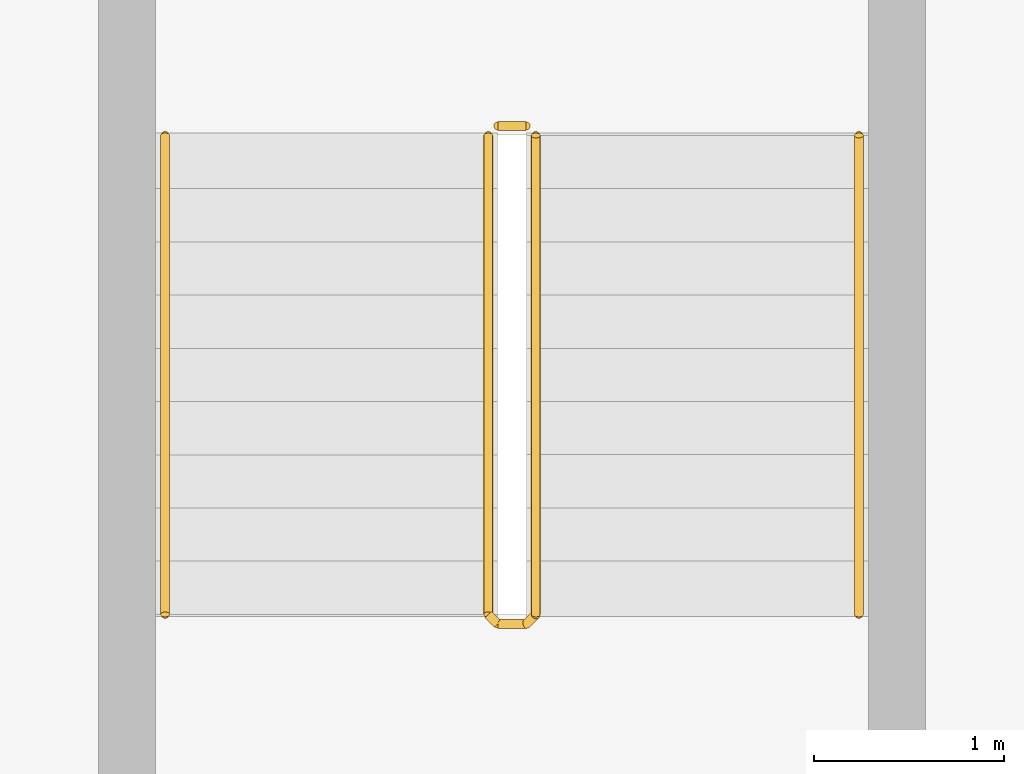
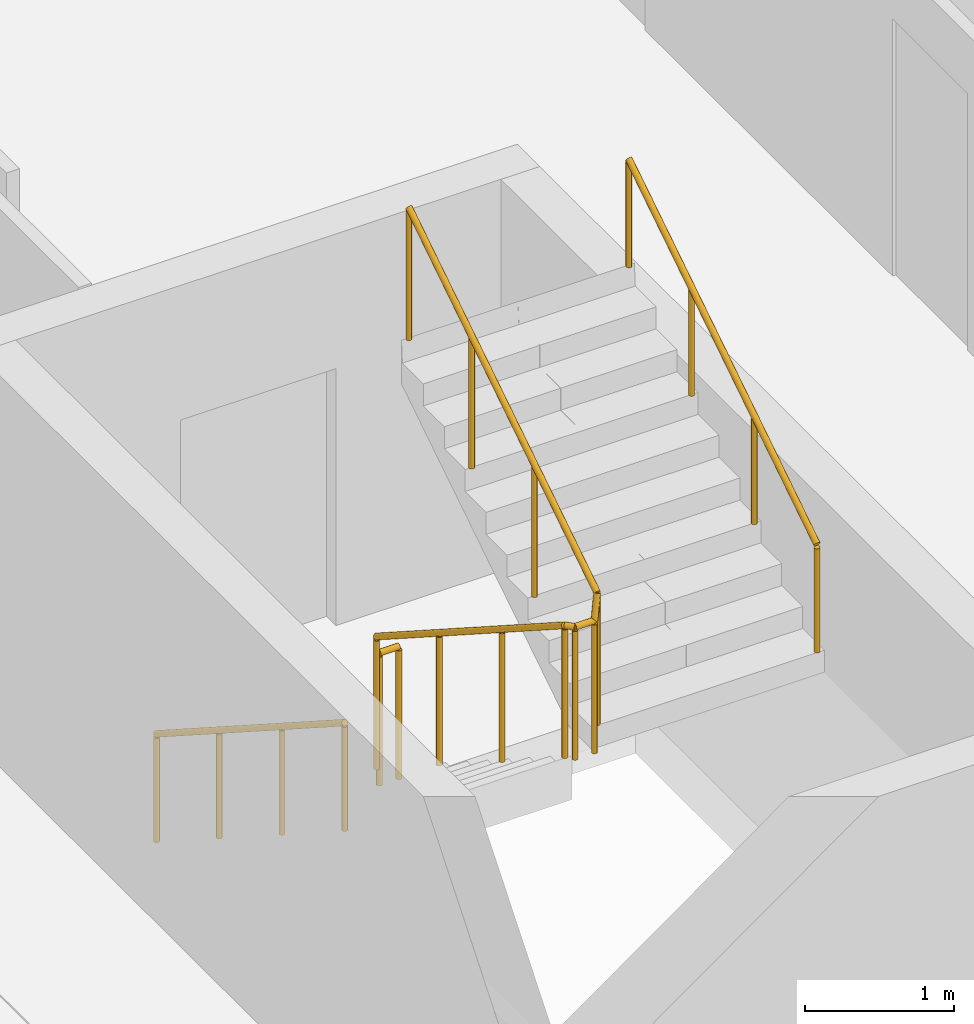
# One storey, part 25 of 27: 4 railings.
"""IFC4 building model written with IfcOpenShell, lengths in metres."""

from ifc_helpers import new_model, si_unit, direction, frame, origin, origin_2d, place, context, subcontext, project, spatial, circle, extrude, material, type_object, element, save


model = new_model("IFC4")

# Units and contexts
model_context = context("Model", 3, precision=1e-05, world=origin(), true_north=direction((0.0, 1.0)))
body_context = subcontext(model_context, "Body", "Model", "MODEL_VIEW")
ifc_project = project(units=[si_unit("LENGTHUNIT", "METRE"), si_unit("AREAUNIT", "SQUARE_METRE"), si_unit("VOLUMEUNIT", "CUBIC_METRE"), si_unit("PLANEANGLEUNIT", "RADIAN"), si_unit("MASSUNIT", "GRAM", prefix="KILO")], contexts=[model_context])

# Site, building, storey
site_placement = place(None, origin())
site = spatial("IfcSite", under=ifc_project, at=site_placement, CompositionType="ELEMENT")
building_placement = place(site_placement, origin())
building = spatial("IfcBuilding", under=site, at=building_placement, Name="Wharfspan Tower", CompositionType="ELEMENT")
storey_placement = place(building_placement, frame((0.0, 0.0, 81.100098)))
storey = spatial("IfcBuildingStorey", under=building, at=storey_placement, Name="L17", CompositionType="ELEMENT", Elevation=81.100098)

# Railings
ifc_material = material(Name="Steel S355J2", Category="steel")
railing_type_1 = type_object("IfcRailingType", Name="Stair guard 1100", PredefinedType="GUARDRAIL", material=ifc_material)
railing_1_placement = place(storey_placement, frame((39.258301, 3.760498, 0.179932)))
element("IfcRailing", 1, at=railing_1_placement, inside=storey, type_object=railing_type_1, Name="L17 ST4 stair guard 1", PredefinedType="GUARDRAIL", context=body_context, shape_type="SweptSolid", body=[
    extrude(circle(Radius=0.023926, at=origin_2d()), frame((0.0, 0.0, 1.076172), z_axis=(0.0, -0.841176, 0.540762), x_axis=(1.0, 0.0, 0.0)), (0.0, 0.0, 1.0), 2.995605),
    extrude(circle(Radius=0.023926, at=origin_2d()), frame((0.0, -2.519775, 2.695801), z_axis=(0.707107, -0.707107, 0.0), x_axis=(0.707107, 0.707107, 0.0)), (0.0, 0.0, 1.0), 0.070801),
    extrude(circle(Radius=0.023926, at=origin_2d()), frame((0.050049, -2.569824, 2.695801), z_axis=(1.0, 0.0, 0.0), x_axis=(0.0, 1.0, 0.0)), (0.0, 0.0, 1.0), 0.149902),
    extrude(circle(Radius=0.023926, at=origin_2d()), frame((0.199951, -2.569824, 2.695801), z_axis=(0.258544, 0.258544, 0.930758), x_axis=(-0.707107, 0.707107, 0.0)), (0.0, 0.0, 1.0), 0.193604),
    extrude(circle(Radius=0.023926, at=origin_2d()), frame((0.25, -2.519775, 2.875977), z_axis=(0.0, 0.841176, 0.540762), x_axis=(-1.0, 0.0, 0.0)), (0.0, 0.0, 1.0), 2.995605),
    extrude(circle(Radius=0.020996, at=origin_2d()), origin(), (0.0, 0.0, 1.0), 1.052002),
    extrude(circle(Radius=0.020996, at=origin_2d()), frame((0.0, -0.839844, 0.540039)), (0.0, 0.0, 1.0), 1.052002),
    extrude(circle(Radius=0.020996, at=origin_2d()), frame((0.0, -1.679932, 1.079834)), (0.0, 0.0, 1.0), 1.052002),
    extrude(circle(Radius=0.020996, at=origin_2d()), frame((0.0, -2.519775, 1.619873)), (0.0, 0.0, 1.0), 1.052002),
    extrude(circle(Radius=0.020996, at=origin_2d()), frame((0.050049, -2.569824, 1.619873)), (0.0, 0.0, 1.0), 1.052002),
    extrude(circle(Radius=0.020996, at=origin_2d()), frame((0.199951, -2.569824, 1.619873)), (0.0, 0.0, 1.0), 1.052002),
    extrude(circle(Radius=0.020996, at=origin_2d()), frame((0.25, -2.519775, 1.800049)), (0.0, 0.0, 1.0), 1.052002),
    extrude(circle(Radius=0.020996, at=origin_2d()), frame((0.25, -1.679932, 2.340088)), (0.0, 0.0, 1.0), 1.052002),
    extrude(circle(Radius=0.020996, at=origin_2d()), frame((0.25, -0.839844, 2.879883)), (0.0, 0.0, 1.0), 1.052002),
    extrude(circle(Radius=0.020996, at=origin_2d()), frame((0.25, 0.0, 3.419922)), (0.0, 0.0, 1.0), 1.052002),
])
railing_2_placement = place(storey_placement, frame((39.30835, 3.810547, 0.0)))
element("IfcRailing", 2, at=railing_2_placement, inside=storey, type_object=railing_type_1, Name="L17 ST4 stair guard 2", PredefinedType="GUARDRAIL", context=body_context, shape_type="SweptSolid", body=[
    extrude(circle(Radius=0.023926, at=origin_2d()), frame((0.0, 0.0, 1.076172), z_axis=(1.0, 0.0, 0.0), x_axis=(0.0, 1.0, 0.0)), (0.0, 0.0, 1.0), 0.149902),
    extrude(circle(Radius=0.020996, at=origin_2d()), origin(), (0.0, 0.0, 1.0), 1.052002),
    extrude(circle(Radius=0.020996, at=origin_2d()), frame((0.149902, 0.0, 0.0)), (0.0, 0.0, 1.0), 1.052002),
])
railing_type_2 = type_object("IfcRailingType", Name="Stair handrail 900", PredefinedType="HANDRAIL", material=ifc_material)
railing_3_placement = place(storey_placement, frame((37.55835, 3.760498, 0.179932)))
element("IfcRailing", 3, at=railing_3_placement, inside=storey, type_object=railing_type_2, Name="L17 ST4 stair handrail 1", PredefinedType="HANDRAIL", context=body_context, shape_type="SweptSolid", body=[
    extrude(circle(Radius=0.023926, at=origin_2d()), frame((0.0, 0.0, 0.875977), z_axis=(0.0, -0.841176, 0.540762), x_axis=(1.0, 0.0, 0.0)), (0.0, 0.0, 1.0), 2.995605),
    extrude(circle(Radius=0.020996, at=origin_2d()), origin(), (0.0, 0.0, 1.0), 0.851807),
    extrude(circle(Radius=0.020996, at=origin_2d()), frame((0.0, -0.839844, 0.540039)), (0.0, 0.0, 1.0), 0.851807),
    extrude(circle(Radius=0.020996, at=origin_2d()), frame((0.0, -1.679932, 1.079834)), (0.0, 0.0, 1.0), 0.851807),
    extrude(circle(Radius=0.020996, at=origin_2d()), frame((0.0, -2.519775, 1.619873)), (0.0, 0.0, 1.0), 0.851807),
])
railing_4_placement = place(storey_placement, frame((41.208252, 1.240723, 1.97998)))
element("IfcRailing", 4, at=railing_4_placement, inside=storey, type_object=railing_type_2, Name="L17 ST4 stair handrail 2", PredefinedType="HANDRAIL", context=body_context, shape_type="SweptSolid", body=[
    extrude(circle(Radius=0.023926, at=origin_2d()), frame((0.0, 0.0, 0.875977), z_axis=(0.0, 0.841176, 0.540762), x_axis=(-1.0, 0.0, 0.0)), (0.0, 0.0, 1.0), 2.995605),
    extrude(circle(Radius=0.020996, at=origin_2d()), origin(), (0.0, 0.0, 1.0), 0.851807),
    extrude(circle(Radius=0.020996, at=origin_2d()), frame((0.0, 0.839844, 0.540039)), (0.0, 0.0, 1.0), 0.851807),
    extrude(circle(Radius=0.020996, at=origin_2d()), frame((0.0, 1.679932, 1.079834)), (0.0, 0.0, 1.0), 0.851807),
    extrude(circle(Radius=0.020996, at=origin_2d()), frame((0.0, 2.519775, 1.619873)), (0.0, 0.0, 1.0), 0.851807),
])

save(model, "model.ifc")
